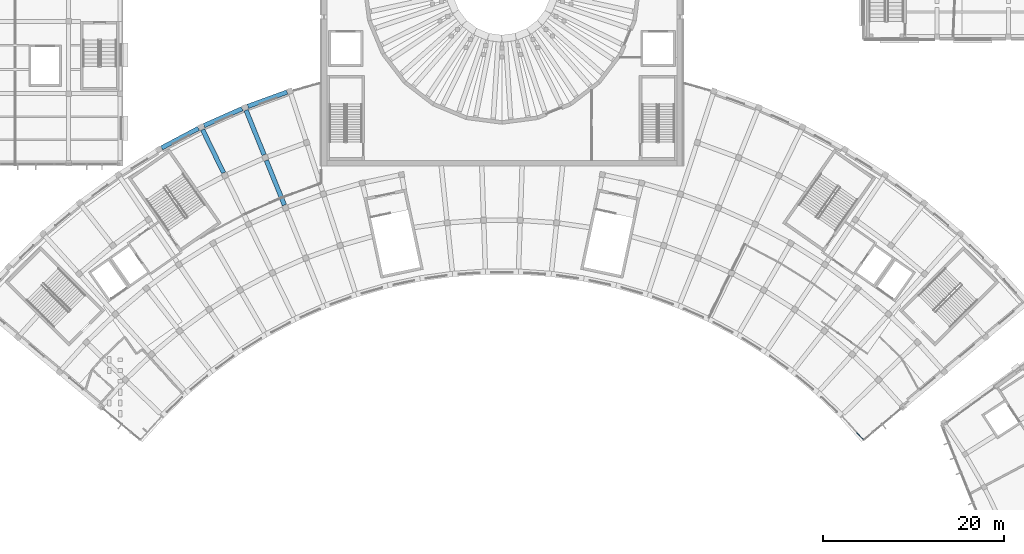
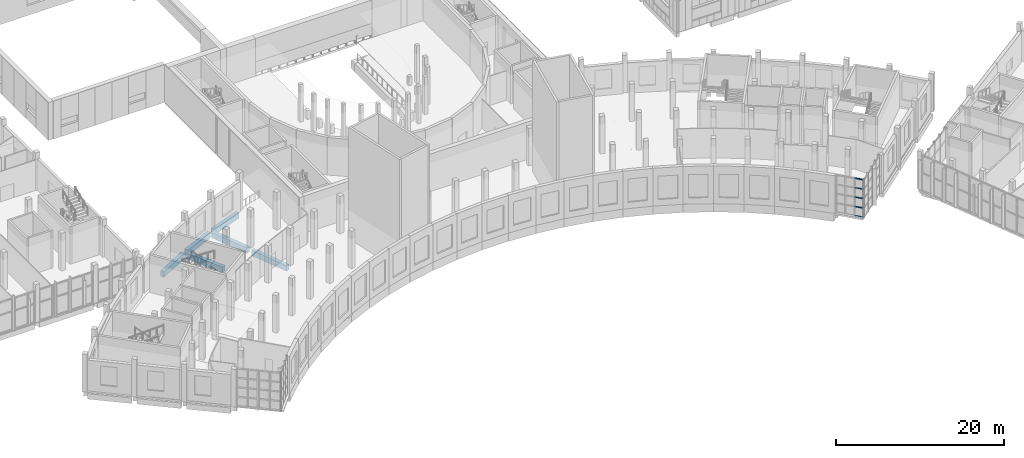
# One storey, part 8 of 87: 6 beams, 5 members, 1 element without a shape of its own.
"""IFC4 building model written with IfcOpenShell, lengths in metres."""

from ifc_helpers import new_model, si_unit, direction, frame, origin, origin_2d, place, context, subcontext, project, spatial, rectangle, extrude, material, layer, layer_set, material_profile, profile_set, type_object, element, aggregate, save


model = new_model("IFC4")

# Units and contexts
model_context = context("Model", 3, precision=1e-05, world=origin(), true_north=direction((0.0, 1.0)))
body_context = subcontext(model_context, "Body", "Model", "MODEL_VIEW")
ifc_project = project(units=[si_unit("LENGTHUNIT", "METRE"), si_unit("AREAUNIT", "SQUARE_METRE"), si_unit("VOLUMEUNIT", "CUBIC_METRE"), si_unit("PLANEANGLEUNIT", "RADIAN"), si_unit("MASSUNIT", "GRAM", prefix="KILO")], contexts=[model_context])

# Site, building, storey
site_placement = place(None, origin())
site = spatial("IfcSite", under=ifc_project, at=site_placement, CompositionType="ELEMENT")
building_placement = place(site_placement, origin())
building = spatial("IfcBuilding", under=site, at=building_placement, Name="Lunette Opera House", CompositionType="ELEMENT")
storey_placement = place(building_placement, frame((0.0, 0.0, 11.5)))
storey = spatial("IfcBuildingStorey", under=building, at=storey_placement, Name="L02", CompositionType="ELEMENT", Elevation=11.5)

# Beams
ifc_material_1 = material(Name="Concrete C35/45", Category="concrete")
ifc_material_profile_1 = material_profile(ifc_material_1, rectangle(XDim=0.5, YDim=0.800048828125, at=origin_2d()), Name="RC BEAM 500X800")
ifc_profile_set_1 = profile_set([ifc_material_profile_1], Name="Concrete C35/45")
beam_type = type_object("IfcBeamType", Name="RC BEAM 500X800", PredefinedType="BEAM", material=ifc_profile_set_1)
for number, where, z_axis, x_axis, name in (
    (1, (65.1650390625, 63.220947265625, -0.6201171875), (-0.438325987036, 0.898816070778, 0.0), (-0.898816070778, -0.438325987036, 0.0), "beam-FC-L02-L02-RB-RL-07-4"),
    (2, (71.89794921875, 59.655029296875, -0.6201171875), (-0.374592790276, 0.927189431278, 0.0), (-0.927189431278, -0.374592790276, 0.0), "beam-FC-L02-L02-RB-RL-08-3"),
    (3, (69.64990234375, 65.218017578125, -0.6201171875), (-0.374592790276, 0.927189431278, 0.0), (-0.927189431278, -0.374592790276, 0.0), "beam-FC-L02-L02-RB-RL-08-4"),
):
    element("IfcBeam", number, at=place(storey_placement, frame(where, z_axis=z_axis, x_axis=x_axis)), inside=storey, type_object=beam_type, Name=name, PredefinedType="BEAM", context=body_context, shape_type="SweptSolid", body=[
        extrude(rectangle(XDim=0.5, YDim=0.800048828125, at=origin_2d()), origin(), (0.0, 0.0, 1.0), 5.3203125),
    ])
beam_placement = place(storey_placement, frame((58.300048828125, 65.97802734375, -0.6201171875), z_axis=(0.883088377591, 0.469206689385, 0.0), x_axis=(-0.469206689385, 0.883088377591, 0.0)))
element("IfcBeam", 4, at=beam_placement, inside=storey, type_object=beam_type, Name="beam-FC-L02-L02-RG-AR-C-RL-06", PredefinedType="BEAM", context=body_context, shape_type="SweptSolid", body=[
    extrude(rectangle(XDim=0.5, YDim=0.800048828125, at=origin_2d()), origin(), (0.0, 0.0, 1.0), 4.624755859375),
])
for number, where, z_axis, x_axis, name in (
    (5, (62.9951171875, 68.446044921875, -0.6201171875), (0.913445407315, 0.406961285451, 0.0), (-0.406961285451, 0.913445407315, 0.0), "beam-FC-L02-L02-RG-AR-C-RL-07"),
    (6, (67.85009765625, 70.58203125, -0.6201171875), (0.939651519364, 0.34213304745, 0.0), (-0.34213304745, 0.939651519364, 0.0), "beam-FC-L02-L02-RG-AR-C-RL-08"),
):
    element("IfcBeam", number, at=place(storey_placement, frame(where, z_axis=z_axis, x_axis=x_axis)), inside=storey, type_object=beam_type, Name=name, PredefinedType="BEAM", context=body_context, shape_type="SweptSolid", body=[
        extrude(rectangle(XDim=0.5, YDim=0.800048828125, at=origin_2d()), origin(), (0.0, 0.0, 1.0), 4.6240234375),
    ])

# Curtain wall, members
ifc_material_2 = material(Name="Aluminium", Category="aluminium")
ifc_layer = layer(ifc_material_2, 0.159912109375)
ifc_layer_set = layer_set([ifc_layer], Name="Aluminium")
curtain_wall_type = type_object("IfcCurtainWallType", Name="CORNER CURTAIN WALL", PredefinedType="NOTDEFINED", material=ifc_layer_set)
curtain_wall_placement = place(storey_placement, origin())
curtain_wall = element("IfcCurtainWall", 7, at=curtain_wall_placement, inside=storey, type_object=curtain_wall_type, Name="Corner Curtain Wall GC-E1 L02", PredefinedType="NOTDEFINED")
ifc_material_3 = material(Name="Aluminium", Category="aluminium")
ifc_material_profile_2 = material_profile(ifc_material_3, rectangle(XDim=0.06005859375, YDim=0.1201171875, at=origin_2d()), Name="TRANSOM 60 X 120")
ifc_profile_set_2 = profile_set([ifc_material_profile_2], Name="Aluminium")
member_type = type_object("IfcMemberType", Name="TRANSOM 60 X 120", PredefinedType="USERDEFINED", material=ifc_profile_set_2)
member_1_placement = place(storey_placement, frame((135.3046875, 34.464111328125, 0.030029296875), z_axis=(0.667874323451, -0.744274067851, 0.0), x_axis=(0.744274067851, 0.667874323451, 0.0)))
member_1 = element("IfcMember", 8, at=member_1_placement, type_object=member_type, Name="FC-X2175 transom 3.1", ObjectType="TRANSOM", PredefinedType="USERDEFINED", context=body_context, shape_type="SweptSolid", body=[
    extrude(rectangle(XDim=0.06005859375, YDim=0.1201171875, at=origin_2d()), origin(), (0.0, 0.0, 1.0), 1.076904296875),
])
member_2_placement = place(storey_placement, frame((135.3046875, 34.464111328125, 1.375), z_axis=(0.667874323451, -0.744274067851, 0.0), x_axis=(0.744274067851, 0.667874323451, 0.0)))
member_2 = element("IfcMember", 9, at=member_2_placement, type_object=member_type, Name="FC-X2175 transom 3.2", ObjectType="TRANSOM", PredefinedType="USERDEFINED", context=body_context, shape_type="SweptSolid", body=[
    extrude(rectangle(XDim=0.06005859375, YDim=0.1201171875, at=origin_2d()), origin(), (0.0, 0.0, 1.0), 1.076904296875),
])
member_3_placement = place(storey_placement, frame((135.3046875, 34.464111328125, 2.75), z_axis=(0.667874323451, -0.744274067851, 0.0), x_axis=(0.744274067851, 0.667874323451, 0.0)))
member_3 = element("IfcMember", 10, at=member_3_placement, type_object=member_type, Name="FC-X2175 transom 3.3", ObjectType="TRANSOM", PredefinedType="USERDEFINED", context=body_context, shape_type="SweptSolid", body=[
    extrude(rectangle(XDim=0.06005859375, YDim=0.1201171875, at=origin_2d()), origin(), (0.0, 0.0, 1.0), 1.076904296875),
])
member_4_placement = place(storey_placement, frame((135.3046875, 34.464111328125, 4.125), z_axis=(0.667874323451, -0.744274067851, 0.0), x_axis=(0.744274067851, 0.667874323451, 0.0)))
member_4 = element("IfcMember", 11, at=member_4_placement, type_object=member_type, Name="FC-X2175 transom 3.4", ObjectType="TRANSOM", PredefinedType="USERDEFINED", context=body_context, shape_type="SweptSolid", body=[
    extrude(rectangle(XDim=0.06005859375, YDim=0.1201171875, at=origin_2d()), origin(), (0.0, 0.0, 1.0), 1.076904296875),
])
member_5_placement = place(storey_placement, frame((135.3046875, 34.464111328125, 5.469970703125), z_axis=(0.667874323451, -0.744274067851, 0.0), x_axis=(0.744274067851, 0.667874323451, 0.0)))
member_5 = element("IfcMember", 12, at=member_5_placement, type_object=member_type, Name="FC-X2175 transom 3.5", ObjectType="TRANSOM", PredefinedType="USERDEFINED", context=body_context, shape_type="SweptSolid", body=[
    extrude(rectangle(XDim=0.06005859375, YDim=0.1201171875, at=origin_2d()), origin(), (0.0, 0.0, 1.0), 1.076904296875),
])
aggregate(curtain_wall, [member_1, member_2, member_3, member_4, member_5])

save(model, "model.ifc")
